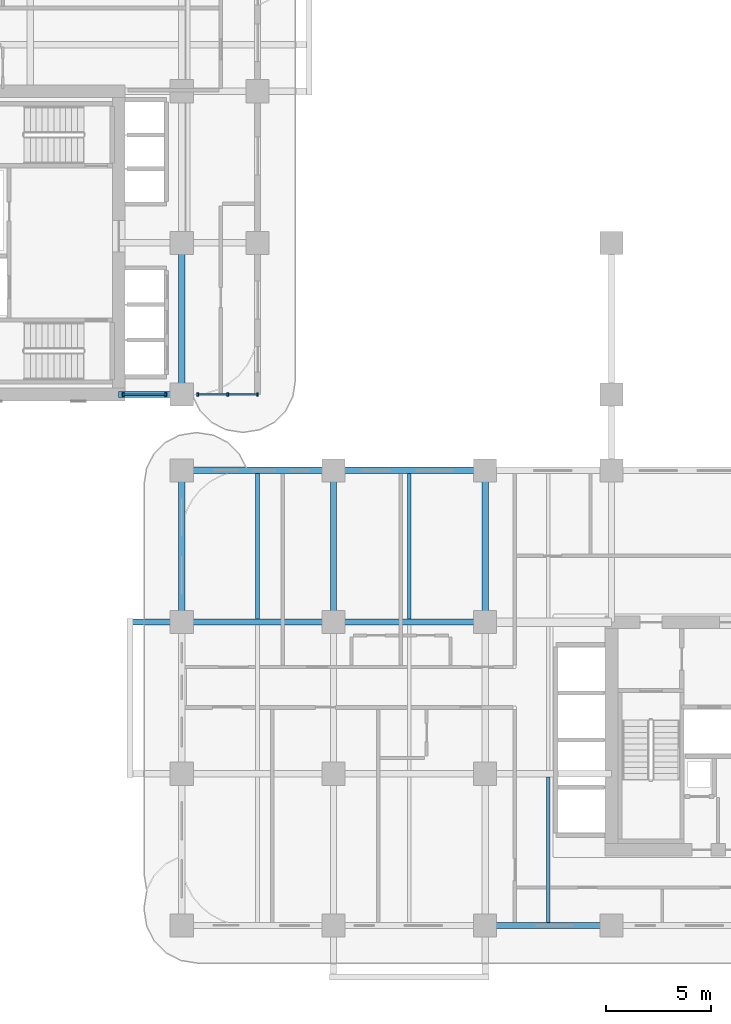
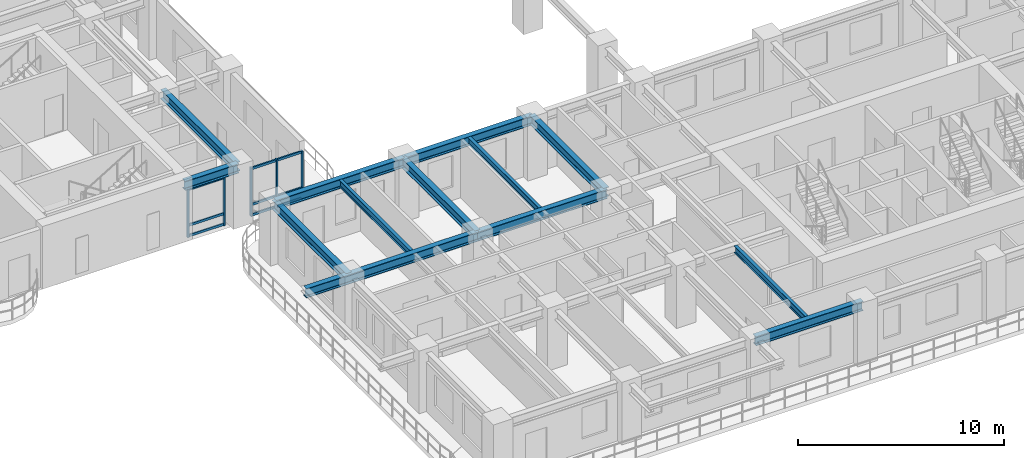
# One storey, part 2 of 18: 14 members, 13 beams, 2 elements without a shape of their own.
"""IFC4 building model written with IfcOpenShell, lengths in metres."""

from ifc_helpers import new_model, si_unit, derived_unit, direction, frame, origin, origin_2d, place, context, subcontext, project, spatial, rectangle, i_section, extrude, source, transform, mapped, material, layer, layer_set, material_profile, profile_set, type_object, type_shapes, element, aggregate, save


model = new_model("IFC4")

# Units and contexts
model_context = context("Model", 3, precision=1e-05, world=origin(), true_north=direction((0.0, 1.0)))
body_context = subcontext(model_context, "Body", "Model", "MODEL_VIEW")
ifc_project = project(units=[si_unit("LENGTHUNIT", "METRE"), si_unit("AREAUNIT", "SQUARE_METRE"), si_unit("VOLUMEUNIT", "CUBIC_METRE"), si_unit("PLANEANGLEUNIT", "RADIAN"), si_unit("MASSUNIT", "GRAM", prefix="KILO"), si_unit("THERMODYNAMICTEMPERATUREUNIT", "KELVIN"), si_unit("POWERUNIT", "WATT"), derived_unit("THERMALTRANSMITTANCEUNIT", [(si_unit("POWERUNIT", "WATT"), 1), (si_unit("AREAUNIT", "SQUARE_METRE"), -1), (si_unit("THERMODYNAMICTEMPERATUREUNIT", "KELVIN"), -1)])], contexts=[model_context])

# Site, building, storey
site_placement = place(None, origin())
site = spatial("IfcSite", under=ifc_project, at=site_placement, CompositionType="ELEMENT")
building_placement = place(site_placement, origin())
building = spatial("IfcBuilding", under=site, at=building_placement, Name="Zahravan Archway Hotel and Residences", CompositionType="ELEMENT")
storey_placement = place(building_placement, frame((0.0, 0.0, 50.89990234375)))
storey = spatial("IfcBuildingStorey", under=building, at=storey_placement, Name="L11", CompositionType="ELEMENT", Elevation=50.89990234375)

# Beams
ifc_material_1 = material(Name="Structural Steel S355JR", Category="steel")
ifc_material_profile_1 = material_profile(ifc_material_1, i_section(OverallWidth=0.300048828125, OverallDepth=0.550048828125, WebThickness=0.014892578125, FlangeThickness=0.029052734375, FilletRadius=0.027099609375, at=origin_2d()), Name="HEB 550", Category="steel")
ifc_profile_set_1 = profile_set([ifc_material_profile_1], Name="Structural Steel S355JR")
beam_type_1 = type_object("IfcBeamType", Name="BM-PRI-HEB550", PredefinedType="BEAM", material=ifc_profile_set_1)
shared_shape_1 = source(origin(), body_context, "Body", "SweptSolid", [
    extrude(i_section(OverallWidth=0.300048828125, OverallDepth=0.550048828125, WebThickness=0.014892578125, FlangeThickness=0.029052734375, FilletRadius=0.027099609375, at=origin_2d()), origin(), (0.0, 0.0, 1.0), 7.2001953125),
])
type_shapes(beam_type_1, [shared_shape_1])
for number, where, z_axis, x_axis, name in (
    (1, (14.39990234375, 21.60009765625, 3.175048828125), (1.0, 0.0, 0.0), (0.0, 1.0, 0.0), "L11 Primary Girder EW-14"),
    (2, (14.39990234375, 14.39990234375, 3.175048828125), (0.0, 1.0, 0.0), (-1.0, 0.0, 0.0), "L11 Primary Girder NS-33"),
    (3, (21.60009765625, 14.39990234375, 3.175048828125), (0.0, 1.0, 0.0), (-1.0, 0.0, 0.0), "L11 Primary Girder NS-39"),
    (4, (28.800048828125, 14.39990234375, 3.175048828125), (0.0, 1.0, 0.0), (-1.0, 0.0, 0.0), "L11 Primary Girder NS-42"),
):
    element("IfcBeam", number, at=place(storey_placement, frame(where, z_axis=z_axis, x_axis=x_axis)), inside=storey, type_object=beam_type_1, Name=name, PredefinedType="BEAM", context=body_context, shape_type="MappedRepresentation", body=[
        mapped(shared_shape_1, transform((0.0, 0.0, 0.0), scale=1.0)),
    ])
shared_shape_2 = source(origin(), body_context, "Body", "SweptSolid", [
    extrude(i_section(OverallWidth=0.300048828125, OverallDepth=0.550048828125, WebThickness=0.014892578125, FlangeThickness=0.029052734375, FilletRadius=0.027099609375, at=origin_2d()), origin(), (0.0, 0.0, 1.0), 7.199951171875),
])
for number, where, z_axis, x_axis, name in (
    (5, (21.60009765625, 14.39990234375, 3.175048828125), (1.0, 0.0, 0.0), (0.0, 1.0, 0.0), "L11 Primary Girder EW-12"),
    (6, (21.60009765625, 21.60009765625, 3.175048828125), (1.0, 0.0, 0.0), (0.0, 1.0, 0.0), "L11 Primary Girder EW-15"),
    (7, (14.39990234375, 25.199951171875, 3.175048828125), (0.0, 1.0, 0.0), (-1.0, 0.0, 0.0), "L11 Primary Girder NS-34"),
):
    element("IfcBeam", number, at=place(storey_placement, frame(where, z_axis=z_axis, x_axis=x_axis)), inside=storey, type_object=beam_type_1, Name=name, PredefinedType="BEAM", context=body_context, shape_type="MappedRepresentation", body=[
        mapped(shared_shape_2, transform((0.0, 0.0, 0.0), scale=1.0)),
    ])
shared_shape_3 = source(origin(), body_context, "Body", "SweptSolid", [
    extrude(i_section(OverallWidth=0.300048828125, OverallDepth=0.550048828125, WebThickness=0.014892578125, FlangeThickness=0.029052734375, FilletRadius=0.027099609375, at=origin_2d()), origin(), (0.0, 0.0, 1.0), 6.0),
])
beam_1_placement = place(storey_placement, frame((28.800048828125, 0.0, 3.175048828125), z_axis=(1.0, 0.0, 0.0), x_axis=(0.0, 1.0, 0.0)))
element("IfcBeam", 8, at=beam_1_placement, inside=storey, type_object=beam_type_1, Name="L11 Primary Girder EW-03", PredefinedType="BEAM", context=body_context, shape_type="MappedRepresentation", body=[
    mapped(shared_shape_3, transform((0.0, 0.0, 0.0), scale=1.0)),
])
shared_shape_4 = source(origin(), body_context, "Body", "SweptSolid", [
    extrude(i_section(OverallWidth=0.300048828125, OverallDepth=0.550048828125, WebThickness=0.014892578125, FlangeThickness=0.029052734375, FilletRadius=0.027099609375, at=origin_2d()), origin(), (0.0, 0.0, 1.0), 3.0),
])
beam_2_placement = place(storey_placement, frame((11.39990234375, 25.199951171875, 3.175048828125), z_axis=(1.0, 0.0, 0.0), x_axis=(0.0, 1.0, 0.0)))
element("IfcBeam", 9, at=beam_2_placement, inside=storey, type_object=beam_type_1, Name="L11 Primary Girder EW-20", PredefinedType="BEAM", context=body_context, shape_type="MappedRepresentation", body=[
    mapped(shared_shape_4, transform((0.0, 0.0, 0.0), scale=1.0)),
])
ifc_material_profile_2 = material_profile(ifc_material_1, i_section(OverallWidth=0.179931640625, OverallDepth=0.39990234375, WebThickness=0.008544921875, FlangeThickness=0.013427734375, FilletRadius=0.02099609375, at=origin_2d()), Name="IPE 400", Category="steel")
ifc_profile_set_2 = profile_set([ifc_material_profile_2], Name="Structural Steel S355JR")
beam_type_2 = type_object("IfcBeamType", Name="BM-JST-IPE400", PredefinedType="JOIST", material=ifc_profile_set_2)
shared_shape_5 = source(origin(), body_context, "Body", "SweptSolid", [
    extrude(i_section(OverallWidth=0.179931640625, OverallDepth=0.39990234375, WebThickness=0.008544921875, FlangeThickness=0.013427734375, FilletRadius=0.02099609375, at=origin_2d()), origin(), (0.0, 0.0, 1.0), 6.904052734375),
])
type_shapes(beam_type_2, [shared_shape_5])
beam_3_placement = place(storey_placement, frame((31.800048828125, 0.14794921875, 3.25), z_axis=(0.0, 1.0, 0.0), x_axis=(-1.0, 0.0, 0.0)))
element("IfcBeam", 10, at=beam_3_placement, inside=storey, type_object=beam_type_2, Name="L11 Composite Floor Joist 03", PredefinedType="JOIST", context=body_context, shape_type="MappedRepresentation", body=[
    mapped(shared_shape_5, transform((0.0, 0.0, 0.0), scale=1.0)),
])
shared_shape_6 = source(origin(), body_context, "Body", "SweptSolid", [
    extrude(i_section(OverallWidth=0.179931640625, OverallDepth=0.39990234375, WebThickness=0.008544921875, FlangeThickness=0.013427734375, FilletRadius=0.02099609375, at=origin_2d()), origin(), (0.0, 0.0, 1.0), 6.90380859375),
])
for number, where, z_axis, x_axis, name in (
    (11, (18.0, 14.548095703125, 3.25), (0.0, 1.0, 0.0), (-1.0, 0.0, 0.0), "L11 Composite Floor Joist 10"),
    (12, (25.199951171875, 14.548095703125, 3.25), (0.0, 1.0, 0.0), (-1.0, 0.0, 0.0), "L11 Composite Floor Joist 11"),
):
    element("IfcBeam", number, at=place(storey_placement, frame(where, z_axis=z_axis, x_axis=x_axis)), inside=storey, type_object=beam_type_2, Name=name, PredefinedType="JOIST", context=body_context, shape_type="MappedRepresentation", body=[
        mapped(shared_shape_6, transform((0.0, 0.0, 0.0), scale=1.0)),
    ])
shared_shape_7 = source(origin(), body_context, "Body", "SweptSolid", [
    extrude(i_section(OverallWidth=0.300048828125, OverallDepth=0.550048828125, WebThickness=0.014892578125, FlangeThickness=0.029052734375, FilletRadius=0.027099609375, at=origin_2d()), origin(), (0.0, 0.0, 1.0), 9.650146484375),
])
beam_4_placement = place(storey_placement, frame((11.949951171875, 14.39990234375, 3.175048828125), z_axis=(1.0, 0.0, 0.0), x_axis=(0.0, 1.0, 0.0)))
element("IfcBeam", 13, at=beam_4_placement, inside=storey, type_object=beam_type_1, Name="L11 Primary Girder EW-11", PredefinedType="BEAM", context=body_context, shape_type="MappedRepresentation", body=[
    mapped(shared_shape_7, transform((0.0, 0.0, 0.0), scale=1.0)),
])

# Curtain wall, members
ifc_material_2 = material(Name="Bronze-Anodized Unitised Aluminium & Low-E Glass", Category="aluminium")
ifc_layer = layer(ifc_material_2, 0.179931640625, Name="Bronze-Anodized Unitised Aluminium & Low-E Glass", Category="aluminium")
ifc_layer_set = layer_set([ifc_layer], Name="Bronze-Anodized Unitised Aluminium & Low-E Glass")
curtain_wall_type = type_object("IfcCurtainWallType", Name="CW-ATR-GLAZ", PredefinedType="NOTDEFINED", material=ifc_layer_set)
curtain_wall_1_placement = place(storey_placement, origin())
curtain_wall_1 = element("IfcCurtainWall", 14, at=curtain_wall_1_placement, inside=storey, type_object=curtain_wall_type, Name="L11 Curtain Wall CW-L11-WB-SE-2", PredefinedType="NOTDEFINED")
ifc_material_3 = material(Name="Bronze-Anodized Extruded Aluminium", Category="aluminium")
ifc_material_profile_3 = material_profile(ifc_material_3, rectangle(XDim=0.080078125, YDim=0.139892578125, at=origin_2d()), Name="TRN 80x140", Category="aluminium")
ifc_profile_set_3 = profile_set([ifc_material_profile_3], Name="Bronze-Anodized Extruded Aluminium")
member_type_1 = type_object("IfcMemberType", Name="CWM-TRN-140", PredefinedType="USERDEFINED", material=ifc_profile_set_3)
shared_shape_8 = source(origin(), body_context, "Body", "SweptSolid", [
    extrude(rectangle(XDim=0.080078125, YDim=0.139892578125, at=origin_2d()), origin(), (0.0, 0.0, 1.0), 1.33984375),
])
member_1_placement = place(storey_placement, frame((16.6201171875, 25.199951171875, 0.070068359375), z_axis=(1.0, 0.0, 0.0), x_axis=(0.0, 1.0, 0.0)))
member_1 = element("IfcMember", 15, at=member_1_placement, type_object=member_type_1, Name="CW-L11-WB-SE-2 Transom 1-1", ObjectType="TRANSOM", PredefinedType="USERDEFINED", context=body_context, shape_type="MappedRepresentation", body=[
    mapped(shared_shape_8, transform((0.0, 0.0, 0.0), scale=1.0)),
])
member_2_placement = place(storey_placement, frame((16.6201171875, 25.199951171875, 0.6923828125), z_axis=(1.0, 0.0, 0.0), x_axis=(0.0, 1.0, 0.0)))
member_2 = element("IfcMember", 16, at=member_2_placement, type_object=member_type_1, Name="CW-L11-WB-SE-2 Transom 1-2", ObjectType="TRANSOM", PredefinedType="USERDEFINED", context=body_context, shape_type="MappedRepresentation", body=[
    mapped(shared_shape_8, transform((0.0, 0.0, 0.0), scale=1.0)),
])
member_3_placement = place(storey_placement, frame((16.6201171875, 25.199951171875, 2.815185546875), z_axis=(1.0, 0.0, 0.0), x_axis=(0.0, 1.0, 0.0)))
member_3 = element("IfcMember", 17, at=member_3_placement, type_object=member_type_1, Name="CW-L11-WB-SE-2 Transom 1-3", ObjectType="TRANSOM", PredefinedType="USERDEFINED", context=body_context, shape_type="MappedRepresentation", body=[
    mapped(shared_shape_8, transform((0.0, 0.0, 0.0), scale=1.0)),
])
shared_shape_9 = source(origin(), body_context, "Body", "SweptSolid", [
    extrude(rectangle(XDim=0.080078125, YDim=0.139892578125, at=origin_2d()), origin(), (0.0, 0.0, 1.0), 1.340087890625),
])
member_4_placement = place(storey_placement, frame((15.199951171875, 25.199951171875, 0.070068359375), z_axis=(1.0, 0.0, 0.0), x_axis=(0.0, 1.0, 0.0)))
member_4 = element("IfcMember", 18, at=member_4_placement, type_object=member_type_1, Name="CW-L11-WB-SE-2 Transom 0-1", ObjectType="TRANSOM", PredefinedType="USERDEFINED", context=body_context, shape_type="MappedRepresentation", body=[
    mapped(shared_shape_9, transform((0.0, 0.0, 0.0), scale=1.0)),
])
member_5_placement = place(storey_placement, frame((15.199951171875, 25.199951171875, 0.6923828125), z_axis=(1.0, 0.0, 0.0), x_axis=(0.0, 1.0, 0.0)))
member_5 = element("IfcMember", 19, at=member_5_placement, type_object=member_type_1, Name="CW-L11-WB-SE-2 Transom 0-2", ObjectType="TRANSOM", PredefinedType="USERDEFINED", context=body_context, shape_type="MappedRepresentation", body=[
    mapped(shared_shape_9, transform((0.0, 0.0, 0.0), scale=1.0)),
])
member_6_placement = place(storey_placement, frame((15.199951171875, 25.199951171875, 2.815185546875), z_axis=(1.0, 0.0, 0.0), x_axis=(0.0, 1.0, 0.0)))
member_6 = element("IfcMember", 20, at=member_6_placement, type_object=member_type_1, Name="CW-L11-WB-SE-2 Transom 0-3", ObjectType="TRANSOM", PredefinedType="USERDEFINED", context=body_context, shape_type="MappedRepresentation", body=[
    mapped(shared_shape_9, transform((0.0, 0.0, 0.0), scale=1.0)),
])

curtain_wall_2_placement = place(storey_placement, origin())
curtain_wall_2 = element("IfcCurtainWall", 21, at=curtain_wall_2_placement, inside=storey, type_object=curtain_wall_type, Name="L11 Curtain Wall CW-L11-WB-SE-1", PredefinedType="NOTDEFINED")
ifc_material_profile_4 = material_profile(ifc_material_3, rectangle(XDim=0.080078125, YDim=0.159912109375, at=origin_2d()), Name="MUL 80x160", Category="aluminium")
ifc_profile_set_4 = profile_set([ifc_material_profile_4], Name="Bronze-Anodized Extruded Aluminium")
member_type_2 = type_object("IfcMemberType", Name="CWM-MUL-160", PredefinedType="MULLION", material=ifc_profile_set_4)
shared_shape_10 = source(origin(), body_context, "Body", "SweptSolid", [
    extrude(rectangle(XDim=0.080078125, YDim=0.159912109375, at=origin_2d()), origin(), (0.0, 0.0, 1.0), 2.885009765625),
])
member_7_placement = place(storey_placement, frame((11.6201171875, 25.199951171875, 0.0), z_axis=(0.0, 0.0, 1.0), x_axis=(1.0, 0.0, 0.0)))
member_7 = element("IfcMember", 22, at=member_7_placement, type_object=member_type_2, Name="CW-L11-WB-SE-1 Mullion 0", PredefinedType="MULLION", context=body_context, shape_type="MappedRepresentation", body=[
    mapped(shared_shape_10, transform((0.0, 0.0, 0.0), scale=1.0)),
])
member_8_placement = place(storey_placement, frame((13.639892578125, 25.199951171875, 0.0), z_axis=(0.0, 0.0, 1.0), x_axis=(1.0, 0.0, 0.0)))
member_8 = element("IfcMember", 23, at=member_8_placement, type_object=member_type_2, Name="CW-L11-WB-SE-1 Mullion 1", PredefinedType="MULLION", context=body_context, shape_type="MappedRepresentation", body=[
    mapped(shared_shape_10, transform((0.0, 0.0, 0.0), scale=1.0)),
])

# Member
member_9_placement = place(storey_placement, frame((15.159912109375, 25.199951171875, 0.0), z_axis=(0.0, 0.0, 1.0), x_axis=(1.0, 0.0, 0.0)))
member_9 = element("IfcMember", 24, at=member_9_placement, type_object=member_type_2, Name="CW-L11-WB-SE-2 Mullion 0", PredefinedType="MULLION", context=body_context, shape_type="MappedRepresentation", body=[
    mapped(shared_shape_10, transform((0.0, 0.0, 0.0), scale=1.0)),
])

member_10_placement = place(storey_placement, frame((16.580078125, 25.199951171875, 0.0), z_axis=(0.0, 0.0, 1.0), x_axis=(1.0, 0.0, 0.0)))
member_10 = element("IfcMember", 25, at=member_10_placement, type_object=member_type_2, Name="CW-L11-WB-SE-2 Mullion 1", PredefinedType="MULLION", context=body_context, shape_type="MappedRepresentation", body=[
    mapped(shared_shape_10, transform((0.0, 0.0, 0.0), scale=1.0)),
])

member_11_placement = place(storey_placement, frame((18.0, 25.199951171875, 0.0), z_axis=(0.0, 0.0, 1.0), x_axis=(1.0, 0.0, 0.0)))
member_11 = element("IfcMember", 26, at=member_11_placement, type_object=member_type_2, Name="CW-L11-WB-SE-2 Mullion 2", PredefinedType="MULLION", context=body_context, shape_type="MappedRepresentation", body=[
    mapped(shared_shape_10, transform((0.0, 0.0, 0.0), scale=1.0)),
])

aggregate(curtain_wall_1, [member_9, member_10, member_11, member_4, member_5, member_6, member_1, member_2, member_3])

shared_shape_11 = source(origin(), body_context, "Body", "SweptSolid", [
    extrude(rectangle(XDim=0.080078125, YDim=0.139892578125, at=origin_2d()), origin(), (0.0, 0.0, 1.0), 1.940185546875),
])
member_12_placement = place(storey_placement, frame((11.659912109375, 25.199951171875, 0.070068359375), z_axis=(1.0, 0.0, 0.0), x_axis=(0.0, 1.0, 0.0)))
member_12 = element("IfcMember", 27, at=member_12_placement, type_object=member_type_1, Name="CW-L11-WB-SE-1 Transom 0-1", ObjectType="TRANSOM", PredefinedType="USERDEFINED", context=body_context, shape_type="MappedRepresentation", body=[
    mapped(shared_shape_11, transform((0.0, 0.0, 0.0), scale=1.0)),
])

member_13_placement = place(storey_placement, frame((11.659912109375, 25.199951171875, 0.6923828125), z_axis=(1.0, 0.0, 0.0), x_axis=(0.0, 1.0, 0.0)))
member_13 = element("IfcMember", 28, at=member_13_placement, type_object=member_type_1, Name="CW-L11-WB-SE-1 Transom 0-2", ObjectType="TRANSOM", PredefinedType="USERDEFINED", context=body_context, shape_type="MappedRepresentation", body=[
    mapped(shared_shape_11, transform((0.0, 0.0, 0.0), scale=1.0)),
])

member_14_placement = place(storey_placement, frame((11.659912109375, 25.199951171875, 2.815185546875), z_axis=(1.0, 0.0, 0.0), x_axis=(0.0, 1.0, 0.0)))
member_14 = element("IfcMember", 29, at=member_14_placement, type_object=member_type_1, Name="CW-L11-WB-SE-1 Transom 0-3", ObjectType="TRANSOM", PredefinedType="USERDEFINED", context=body_context, shape_type="MappedRepresentation", body=[
    mapped(shared_shape_11, transform((0.0, 0.0, 0.0), scale=1.0)),
])

aggregate(curtain_wall_2, [member_7, member_8, member_12, member_13, member_14])

save(model, "model.ifc")
